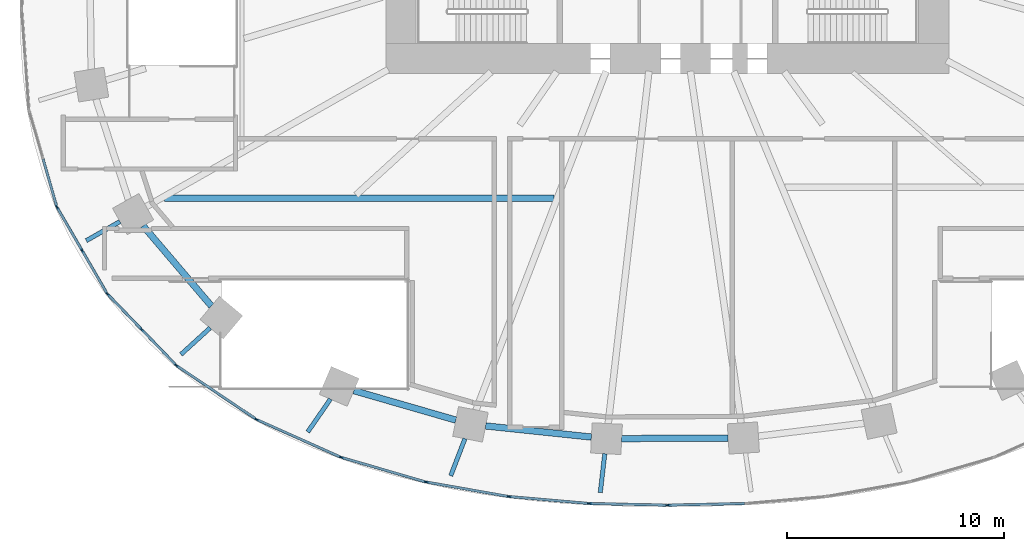
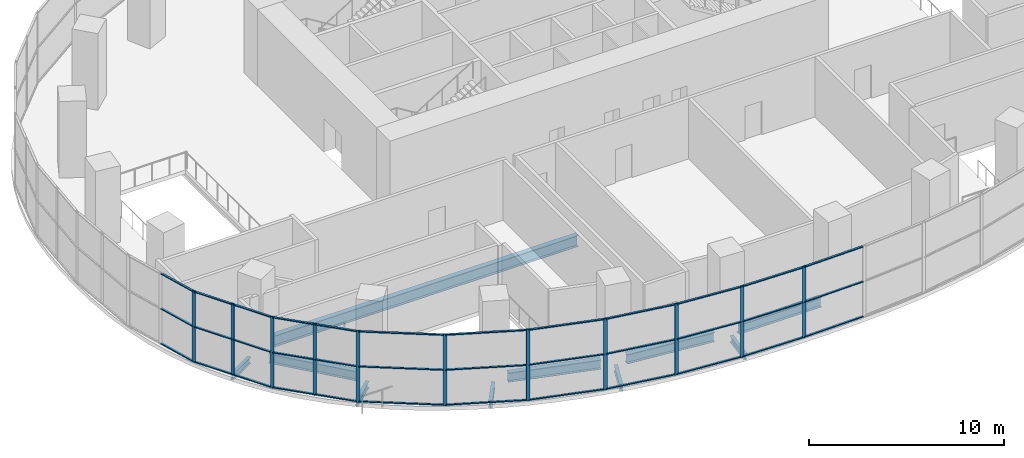
# One storey, part 2 of 17: 47 members, 10 beams, 10 elements without a shape of their own.
"""IFC4 building model written with IfcOpenShell, lengths in metres."""

from ifc_helpers import new_model, si_unit, direction, frame, origin, origin_2d, place, context, subcontext, project, spatial, rectangle, i_section, extrude, material, material_profile, profile_set, type_object, element, aggregate, save


model = new_model("IFC4")

# Units and contexts
model_context = context("Model", 3, precision=1e-05, world=origin(), true_north=direction((0.0, 1.0)))
body_context = subcontext(model_context, "Body", "Model", "MODEL_VIEW")
ifc_project = project(units=[si_unit("LENGTHUNIT", "METRE"), si_unit("AREAUNIT", "SQUARE_METRE"), si_unit("VOLUMEUNIT", "CUBIC_METRE"), si_unit("PLANEANGLEUNIT", "RADIAN"), si_unit("MASSUNIT", "GRAM", prefix="KILO")], contexts=[model_context])

# Site, building, storey
site_placement = place(None, origin())
site = spatial("IfcSite", under=ifc_project, at=site_placement, CompositionType="ELEMENT")
building_placement = place(site_placement, origin())
building = spatial("IfcBuilding", under=site, at=building_placement, Name="Rubra Terraces Tower", CompositionType="ELEMENT")
storey_placement = place(building_placement, frame((0.0, 0.0, 28.199951171875)))
storey = spatial("IfcBuildingStorey", under=building, at=storey_placement, Name="L04", CompositionType="ELEMENT", Elevation=28.199951171875)

# Beams
ifc_material_1 = material(Name="Steel Q355B", Category="steel")
ifc_material_profile_1 = material_profile(ifc_material_1, i_section(OverallWidth=0.199951171875, OverallDepth=0.39990234375, WebThickness=0.008056640625, FlangeThickness=0.012939453125, at=origin_2d()), Name="HN 400x200x8x13")
ifc_profile_set_1 = profile_set([ifc_material_profile_1], Name="Steel Q355B")
beam_type_1 = type_object("IfcBeamType", Name="CANTILEVER BEAM HN 400x200x8x13", PredefinedType="BEAM", material=ifc_profile_set_1)
beam_1_placement = place(storey_placement, frame((-25.284912109375, -9.827880859375, -0.449951171875), z_axis=(-0.86992838688, -0.493178062873, 0.0), x_axis=(0.493178062873, -0.86992838688, 0.0)))
element("IfcBeam", 1, at=beam_1_placement, inside=storey, type_object=beam_type_1, Name="beam-L04-cant-14", PredefinedType="BEAM", context=body_context, shape_type="SweptSolid", body=[
    extrude(i_section(OverallWidth=0.199951171875, OverallDepth=0.39990234375, WebThickness=0.008056640625, FlangeThickness=0.012939453125, at=origin_2d()), origin(), (0.0, 0.0, 1.0), 1.78662109375),
])
beam_2_placement = place(storey_placement, frame((-21.1220703125, -14.741943359375, -0.449951171875), z_axis=(-0.739575224106, -0.673073909677, 0.0), x_axis=(0.673073909677, -0.739575224106, 0.0)))
element("IfcBeam", 2, at=beam_2_placement, inside=storey, type_object=beam_type_1, Name="beam-L04-cant-15", PredefinedType="BEAM", context=body_context, shape_type="SweptSolid", body=[
    extrude(i_section(OverallWidth=0.199951171875, OverallDepth=0.39990234375, WebThickness=0.008056640625, FlangeThickness=0.012939453125, at=origin_2d()), origin(), (0.0, 0.0, 1.0), 1.817138671875),
])
beam_3_placement = place(storey_placement, frame((-15.56298828125, -18.029052734375, -0.449951171875), z_axis=(-0.568402477444, -0.822750644871, 0.0), x_axis=(0.822750644871, -0.568402477444, 0.0)))
element("IfcBeam", 3, at=beam_3_placement, inside=storey, type_object=beam_type_1, Name="beam-L04-cant-16", PredefinedType="BEAM", context=body_context, shape_type="SweptSolid", body=[
    extrude(i_section(OverallWidth=0.199951171875, OverallDepth=0.39990234375, WebThickness=0.008056640625, FlangeThickness=0.012939453125, at=origin_2d()), origin(), (0.0, 0.0, 1.0), 1.840087890625),
])
beam_4_placement = place(storey_placement, frame((-9.34912109375, -19.85498046875, -0.449951171875), z_axis=(-0.358291983639, -0.93360958353, 0.0), x_axis=(0.93360958353, -0.358291983639, 0.0)))
element("IfcBeam", 4, at=beam_4_placement, inside=storey, type_object=beam_type_1, Name="beam-L04-cant-17", PredefinedType="BEAM", context=body_context, shape_type="SweptSolid", body=[
    extrude(i_section(OverallWidth=0.199951171875, OverallDepth=0.39990234375, WebThickness=0.008056640625, FlangeThickness=0.012939453125, at=origin_2d()), origin(), (0.0, 0.0, 1.0), 1.833740234375),
])
beam_5_placement = place(storey_placement, frame((-2.89111328125, -20.551025390625, -0.449951171875), z_axis=(-0.114572764889, -0.99341485873, 0.0), x_axis=(0.99341485873, -0.114572764889, 0.0)))
element("IfcBeam", 5, at=beam_5_placement, inside=storey, type_object=beam_type_1, Name="beam-L04-cant-18", PredefinedType="BEAM", context=body_context, shape_type="SweptSolid", body=[
    extrude(i_section(OverallWidth=0.199951171875, OverallDepth=0.39990234375, WebThickness=0.008056640625, FlangeThickness=0.012939453125, at=origin_2d()), origin(), (0.0, 0.0, 1.0), 1.804931640625),
])

# Curtain wall, members
ifc_material_2 = material(Name="Aluminium and glass", Category="aluminium")
curtain_wall_type = type_object("IfcCurtainWallType", Name="Curtain wall Podium glazing", PredefinedType="NOTDEFINED", material=ifc_material_2)
curtain_wall_1_placement = place(storey_placement, origin())
curtain_wall_1 = element("IfcCurtainWall", 6, at=curtain_wall_1_placement, inside=storey, type_object=curtain_wall_type, Name="L04 glazing bay 23", PredefinedType="NOTDEFINED")
ifc_material_3 = material(Name="Aluminium, anodised dark grey", Category="aluminium")
ifc_material_profile_2 = material_profile(ifc_material_3, rectangle(XDim=0.06005859375, YDim=0.199951171875, at=origin_2d()), Name="AL 60x200")
ifc_profile_set_2 = profile_set([ifc_material_profile_2], Name="Aluminium, anodised dark grey")
member_type_1 = type_object("IfcMemberType", Name="Podium glazing mullion 60 x 200", PredefinedType="MULLION", material=ifc_profile_set_2)
member_1_placement = place(storey_placement, frame((-28.18798828125, -9.17333984375, 0.0), z_axis=(0.0, 0.0, 1.0), x_axis=(0.864813011398, 0.502094070187, 0.0)))
member_1 = element("IfcMember", 7, at=member_1_placement, type_object=member_type_1, Name="CW1 mullion 1", PredefinedType="MULLION", context=body_context, shape_type="SweptSolid", body=[
    extrude(rectangle(XDim=0.06005859375, YDim=0.199951171875, at=origin_2d()), origin(), (0.0, 0.0, 1.0), 4.5),
])
member_2_placement = place(storey_placement, frame((-27.0341796875, -11.160888671875, 0.0), z_axis=(0.0, 0.0, 1.0), x_axis=(0.864813011398, 0.502094070187, 0.0)))
member_2 = element("IfcMember", 8, at=member_2_placement, type_object=member_type_1, Name="CW1 mullion 2", PredefinedType="MULLION", context=body_context, shape_type="SweptSolid", body=[
    extrude(rectangle(XDim=0.06005859375, YDim=0.199951171875, at=origin_2d()), origin(), (0.0, 0.0, 1.0), 4.5),
])

curtain_wall_2_placement = place(storey_placement, origin())
curtain_wall_2 = element("IfcCurtainWall", 9, at=curtain_wall_2_placement, inside=storey, type_object=curtain_wall_type, Name="L04 glazing bay 24", PredefinedType="NOTDEFINED")
member_3_placement = place(storey_placement, frame((-25.855224609375, -13.181396484375, 0.0), z_axis=(0.0, 0.0, 1.0), x_axis=(0.71982488517, 0.69415569917, 0.0)))
member_3 = element("IfcMember", 10, at=member_3_placement, type_object=member_type_1, Name="CW1 mullion 1", PredefinedType="MULLION", context=body_context, shape_type="SweptSolid", body=[
    extrude(rectangle(XDim=0.06005859375, YDim=0.199951171875, at=origin_2d()), origin(), (0.0, 0.0, 1.0), 4.5),
])
member_4_placement = place(storey_placement, frame((-24.280517578125, -14.814453125, 0.0), z_axis=(0.0, 0.0, 1.0), x_axis=(0.71982488517, 0.69415569917, 0.0)))
member_4 = element("IfcMember", 11, at=member_4_placement, type_object=member_type_1, Name="CW1 mullion 2", PredefinedType="MULLION", context=body_context, shape_type="SweptSolid", body=[
    extrude(rectangle(XDim=0.06005859375, YDim=0.199951171875, at=origin_2d()), origin(), (0.0, 0.0, 1.0), 4.5),
])

# Curtain wall, member
curtain_wall_3_placement = place(storey_placement, origin())
curtain_wall_3 = element("IfcCurtainWall", 12, at=curtain_wall_3_placement, inside=storey, type_object=curtain_wall_type, Name="L04 glazing bay 25", PredefinedType="NOTDEFINED")
member_5_placement = place(storey_placement, frame((-22.672119140625, -16.4755859375, 0.0), z_axis=(0.0, 0.0, 1.0), x_axis=(0.55927727939, 0.828980654031, 0.0)))
member_5 = element("IfcMember", 13, at=member_5_placement, type_object=member_type_1, Name="CW1 mullion 1", PredefinedType="MULLION", context=body_context, shape_type="SweptSolid", body=[
    extrude(rectangle(XDim=0.06005859375, YDim=0.199951171875, at=origin_2d()), origin(), (0.0, 0.0, 1.0), 4.5),
])

curtain_wall_4_placement = place(storey_placement, origin())
curtain_wall_4 = element("IfcCurtainWall", 14, at=curtain_wall_4_placement, inside=storey, type_object=curtain_wall_type, Name="L04 glazing bay 26", PredefinedType="NOTDEFINED")
member_6_placement = place(storey_placement, frame((-18.968017578125, -18.969970703125, 0.0), z_axis=(0.0, 0.0, 1.0), x_axis=(0.4089624427, 0.912551215254, 0.0)))
member_6 = element("IfcMember", 15, at=member_6_placement, type_object=member_type_1, Name="CW1 mullion 1", PredefinedType="MULLION", context=body_context, shape_type="SweptSolid", body=[
    extrude(rectangle(XDim=0.06005859375, YDim=0.199951171875, at=origin_2d()), origin(), (0.0, 0.0, 1.0), 4.5),
])

curtain_wall_5_placement = place(storey_placement, origin())
curtain_wall_5 = element("IfcCurtainWall", 16, at=curtain_wall_5_placement, inside=storey, type_object=curtain_wall_type, Name="L04 glazing bay 27", PredefinedType="NOTDEFINED")
member_7_placement = place(storey_placement, frame((-15.05126953125, -20.721435546875, 0.0), z_axis=(0.0, 0.0, 1.0), x_axis=(0.279399200229, 0.96017502931, 0.0)))
member_7 = element("IfcMember", 17, at=member_7_placement, type_object=member_type_1, Name="CW1 mullion 1", PredefinedType="MULLION", context=body_context, shape_type="SweptSolid", body=[
    extrude(rectangle(XDim=0.06005859375, YDim=0.199951171875, at=origin_2d()), origin(), (0.0, 0.0, 1.0), 4.5),
])

curtain_wall_6_placement = place(storey_placement, origin())
curtain_wall_6 = element("IfcCurtainWall", 18, at=curtain_wall_6_placement, inside=storey, type_object=curtain_wall_type, Name="L04 glazing bay 28", PredefinedType="NOTDEFINED")
member_8_placement = place(storey_placement, frame((-11.13037109375, -21.859375, 0.0), z_axis=(0.0, 0.0, 1.0), x_axis=(0.172816985997, 0.984953952909, 0.0)))
member_8 = element("IfcMember", 19, at=member_8_placement, type_object=member_type_1, Name="CW1 mullion 1", PredefinedType="MULLION", context=body_context, shape_type="SweptSolid", body=[
    extrude(rectangle(XDim=0.06005859375, YDim=0.199951171875, at=origin_2d()), origin(), (0.0, 0.0, 1.0), 4.5),
])

curtain_wall_7_placement = place(storey_placement, origin())
curtain_wall_7 = element("IfcCurtainWall", 20, at=curtain_wall_7_placement, inside=storey, type_object=curtain_wall_type, Name="L04 glazing bay 29", PredefinedType="NOTDEFINED")
member_9_placement = place(storey_placement, frame((-7.306640625, -22.52783203125, 0.0), z_axis=(0.0, 0.0, 1.0), x_axis=(0.08639804595, 0.996260697637, 0.0)))
member_9 = element("IfcMember", 21, at=member_9_placement, type_object=member_type_1, Name="CW1 mullion 1", PredefinedType="MULLION", context=body_context, shape_type="SweptSolid", body=[
    extrude(rectangle(XDim=0.06005859375, YDim=0.199951171875, at=origin_2d()), origin(), (0.0, 0.0, 1.0), 4.5),
])

curtain_wall_8_placement = place(storey_placement, origin())
curtain_wall_8 = element("IfcCurtainWall", 22, at=curtain_wall_8_placement, inside=storey, type_object=curtain_wall_type, Name="L04 glazing bay 30", PredefinedType="NOTDEFINED")
member_10_placement = place(storey_placement, frame((-3.598388671875, -22.84765625, 0.0), z_axis=(0.0, 0.0, 1.0), x_axis=(0.021482644428, 0.999769221365, 0.0)))
member_10 = element("IfcMember", 23, at=member_10_placement, type_object=member_type_1, Name="CW1 mullion 1", PredefinedType="MULLION", context=body_context, shape_type="SweptSolid", body=[
    extrude(rectangle(XDim=0.06005859375, YDim=0.199951171875, at=origin_2d()), origin(), (0.0, 0.0, 1.0), 4.5),
])

curtain_wall_9_placement = place(storey_placement, origin())
curtain_wall_9 = element("IfcCurtainWall", 24, at=curtain_wall_9_placement, inside=storey, type_object=curtain_wall_type, Name="L04 glazing bay 31", PredefinedType="NOTDEFINED")
member_11_placement = place(storey_placement, frame((0.0283203125, -22.92431640625, 0.0), z_axis=(0.0, 0.0, 1.0), x_axis=(-0.021482644428, 0.999769221365, 0.0)))
member_11 = element("IfcMember", 25, at=member_11_placement, type_object=member_type_1, Name="CW1 mullion 1", PredefinedType="MULLION", context=body_context, shape_type="SweptSolid", body=[
    extrude(rectangle(XDim=0.06005859375, YDim=0.199951171875, at=origin_2d()), origin(), (0.0, 0.0, 1.0), 4.5),
])

# Curtain wall, members
curtain_wall_10_placement = place(storey_placement, origin())
curtain_wall_10 = element("IfcCurtainWall", 26, at=curtain_wall_10_placement, inside=storey, type_object=curtain_wall_type, Name="L04 glazing bay 22", PredefinedType="NOTDEFINED")
ifc_material_profile_3 = material_profile(ifc_material_3, rectangle(XDim=0.1201171875, YDim=0.06005859375, at=origin_2d()), Name="AL 120x60")
ifc_profile_set_3 = profile_set([ifc_material_profile_3], Name="Aluminium, anodised dark grey")
member_type_2 = type_object("IfcMemberType", Name="Podium glazing transom 120 x 60", PredefinedType="USERDEFINED", material=ifc_profile_set_3)
member_12_placement = place(storey_placement, frame((-28.835205078125, -6.941650390625, 0.06005859375), z_axis=(0.276452561882, -0.961027565177, 0.0), x_axis=(0.961027565177, 0.276452561882, 0.0)))
member_12 = element("IfcMember", 27, at=member_12_placement, type_object=member_type_2, Name="CW1 transom 2.1", ObjectType="TRANSOM", PredefinedType="USERDEFINED", context=body_context, shape_type="SweptSolid", body=[
    extrude(rectangle(XDim=0.1201171875, YDim=0.06005859375, at=origin_2d()), origin(), (0.0, 0.0, 1.0), 2.2529296875),
])
member_13_placement = place(storey_placement, frame((-28.835205078125, -6.941650390625, 2.25), z_axis=(0.276452561882, -0.961027565177, 0.0), x_axis=(0.961027565177, 0.276452561882, 0.0)))
member_13 = element("IfcMember", 28, at=member_13_placement, type_object=member_type_2, Name="CW1 transom 2.2", ObjectType="TRANSOM", PredefinedType="USERDEFINED", context=body_context, shape_type="SweptSolid", body=[
    extrude(rectangle(XDim=0.1201171875, YDim=0.06005859375, at=origin_2d()), origin(), (0.0, 0.0, 1.0), 2.2529296875),
])
member_14_placement = place(storey_placement, frame((-28.835205078125, -6.941650390625, 4.43994140625), z_axis=(0.276452561882, -0.961027565177, 0.0), x_axis=(0.961027565177, 0.276452561882, 0.0)))
member_14 = element("IfcMember", 29, at=member_14_placement, type_object=member_type_2, Name="CW1 transom 2.3", ObjectType="TRANSOM", PredefinedType="USERDEFINED", context=body_context, shape_type="SweptSolid", body=[
    extrude(rectangle(XDim=0.1201171875, YDim=0.06005859375, at=origin_2d()), origin(), (0.0, 0.0, 1.0), 2.2529296875),
])
aggregate(curtain_wall_10, [member_12, member_13, member_14])

# Member
member_15_placement = place(storey_placement, frame((-28.173095703125, -9.19921875, 0.06005859375), z_axis=(0.5021881448, -0.864758386616, 0.0), x_axis=(0.864758386616, 0.5021881448, 0.0)))
member_15 = element("IfcMember", 30, at=member_15_placement, type_object=member_type_2, Name="CW1 transom 1.1", ObjectType="TRANSOM", PredefinedType="USERDEFINED", context=body_context, shape_type="SweptSolid", body=[
    extrude(rectangle(XDim=0.1201171875, YDim=0.06005859375, at=origin_2d()), origin(), (0.0, 0.0, 1.0), 2.23828125),
])

member_16_placement = place(storey_placement, frame((-28.173095703125, -9.19921875, 2.25), z_axis=(0.5021881448, -0.864758386616, 0.0), x_axis=(0.864758386616, 0.5021881448, 0.0)))
member_16 = element("IfcMember", 31, at=member_16_placement, type_object=member_type_2, Name="CW1 transom 1.2", ObjectType="TRANSOM", PredefinedType="USERDEFINED", context=body_context, shape_type="SweptSolid", body=[
    extrude(rectangle(XDim=0.1201171875, YDim=0.06005859375, at=origin_2d()), origin(), (0.0, 0.0, 1.0), 2.23828125),
])

member_17_placement = place(storey_placement, frame((-28.173095703125, -9.19921875, 4.43994140625), z_axis=(0.5021881448, -0.864758386616, 0.0), x_axis=(0.864758386616, 0.5021881448, 0.0)))
member_17 = element("IfcMember", 32, at=member_17_placement, type_object=member_type_2, Name="CW1 transom 1.3", ObjectType="TRANSOM", PredefinedType="USERDEFINED", context=body_context, shape_type="SweptSolid", body=[
    extrude(rectangle(XDim=0.1201171875, YDim=0.06005859375, at=origin_2d()), origin(), (0.0, 0.0, 1.0), 2.23828125),
])

member_18_placement = place(storey_placement, frame((-27.01904296875, -11.186767578125, 0.06005859375), z_axis=(0.502106569931, -0.864805754162, 0.0), x_axis=(0.864805754162, 0.502106569931, 0.0)))
member_18 = element("IfcMember", 33, at=member_18_placement, type_object=member_type_2, Name="CW1 transom 2.1", ObjectType="TRANSOM", PredefinedType="USERDEFINED", context=body_context, shape_type="SweptSolid", body=[
    extrude(rectangle(XDim=0.1201171875, YDim=0.06005859375, at=origin_2d()), origin(), (0.0, 0.0, 1.0), 2.238037109375),
])

member_19_placement = place(storey_placement, frame((-27.01904296875, -11.186767578125, 2.25), z_axis=(0.502106569931, -0.864805754162, 0.0), x_axis=(0.864805754162, 0.502106569931, 0.0)))
member_19 = element("IfcMember", 34, at=member_19_placement, type_object=member_type_2, Name="CW1 transom 2.2", ObjectType="TRANSOM", PredefinedType="USERDEFINED", context=body_context, shape_type="SweptSolid", body=[
    extrude(rectangle(XDim=0.1201171875, YDim=0.06005859375, at=origin_2d()), origin(), (0.0, 0.0, 1.0), 2.238037109375),
])

member_20_placement = place(storey_placement, frame((-27.01904296875, -11.186767578125, 4.43994140625), z_axis=(0.502106569931, -0.864805754162, 0.0), x_axis=(0.864805754162, 0.502106569931, 0.0)))
member_20 = element("IfcMember", 35, at=member_20_placement, type_object=member_type_2, Name="CW1 transom 2.3", ObjectType="TRANSOM", PredefinedType="USERDEFINED", context=body_context, shape_type="SweptSolid", body=[
    extrude(rectangle(XDim=0.1201171875, YDim=0.06005859375, at=origin_2d()), origin(), (0.0, 0.0, 1.0), 2.238037109375),
])

aggregate(curtain_wall_1, [member_1, member_2, member_15, member_16, member_17, member_18, member_19, member_20])

member_21_placement = place(storey_placement, frame((-25.83447265625, -13.203125, 0.06005859375), z_axis=(0.694223533913, -0.719759463266, 0.0), x_axis=(0.719759463266, 0.694223533913, 0.0)))
member_21 = element("IfcMember", 36, at=member_21_placement, type_object=member_type_2, Name="CW1 transom 1.1", ObjectType="TRANSOM", PredefinedType="USERDEFINED", context=body_context, shape_type="SweptSolid", body=[
    extrude(rectangle(XDim=0.1201171875, YDim=0.06005859375, at=origin_2d()), origin(), (0.0, 0.0, 1.0), 2.20849609375),
])

member_22_placement = place(storey_placement, frame((-25.83447265625, -13.203125, 2.25), z_axis=(0.694223533913, -0.719759463266, 0.0), x_axis=(0.719759463266, 0.694223533913, 0.0)))
member_22 = element("IfcMember", 37, at=member_22_placement, type_object=member_type_2, Name="CW1 transom 1.2", ObjectType="TRANSOM", PredefinedType="USERDEFINED", context=body_context, shape_type="SweptSolid", body=[
    extrude(rectangle(XDim=0.1201171875, YDim=0.06005859375, at=origin_2d()), origin(), (0.0, 0.0, 1.0), 2.20849609375),
])

member_23_placement = place(storey_placement, frame((-25.83447265625, -13.203125, 4.43994140625), z_axis=(0.694223533913, -0.719759463266, 0.0), x_axis=(0.719759463266, 0.694223533913, 0.0)))
member_23 = element("IfcMember", 38, at=member_23_placement, type_object=member_type_2, Name="CW1 transom 1.3", ObjectType="TRANSOM", PredefinedType="USERDEFINED", context=body_context, shape_type="SweptSolid", body=[
    extrude(rectangle(XDim=0.1201171875, YDim=0.06005859375, at=origin_2d()), origin(), (0.0, 0.0, 1.0), 2.20849609375),
])

member_24_placement = place(storey_placement, frame((-24.259765625, -14.8359375, 0.06005859375), z_axis=(0.694168299732, -0.719812733735, 0.0), x_axis=(0.719812733735, 0.694168299732, 0.0)))
member_24 = element("IfcMember", 39, at=member_24_placement, type_object=member_type_2, Name="CW1 transom 2.1", ObjectType="TRANSOM", PredefinedType="USERDEFINED", context=body_context, shape_type="SweptSolid", body=[
    extrude(rectangle(XDim=0.1201171875, YDim=0.06005859375, at=origin_2d()), origin(), (0.0, 0.0, 1.0), 2.208740234375),
])

member_25_placement = place(storey_placement, frame((-24.259765625, -14.8359375, 2.25), z_axis=(0.694168299732, -0.719812733735, 0.0), x_axis=(0.719812733735, 0.694168299732, 0.0)))
member_25 = element("IfcMember", 40, at=member_25_placement, type_object=member_type_2, Name="CW1 transom 2.2", ObjectType="TRANSOM", PredefinedType="USERDEFINED", context=body_context, shape_type="SweptSolid", body=[
    extrude(rectangle(XDim=0.1201171875, YDim=0.06005859375, at=origin_2d()), origin(), (0.0, 0.0, 1.0), 2.208740234375),
])

member_26_placement = place(storey_placement, frame((-24.259765625, -14.8359375, 4.43994140625), z_axis=(0.694168299732, -0.719812733735, 0.0), x_axis=(0.719812733735, 0.694168299732, 0.0)))
member_26 = element("IfcMember", 41, at=member_26_placement, type_object=member_type_2, Name="CW1 transom 2.3", ObjectType="TRANSOM", PredefinedType="USERDEFINED", context=body_context, shape_type="SweptSolid", body=[
    extrude(rectangle(XDim=0.1201171875, YDim=0.06005859375, at=origin_2d()), origin(), (0.0, 0.0, 1.0), 2.208740234375),
])

aggregate(curtain_wall_2, [member_3, member_4, member_21, member_22, member_23, member_24, member_25, member_26])

member_27_placement = place(storey_placement, frame((-22.6474609375, -16.492431640625, 0.06005859375), z_axis=(0.828996039897, -0.559254473236, 0.0), x_axis=(0.559254473236, 0.828996039897, 0.0)))
member_27 = element("IfcMember", 42, at=member_27_placement, type_object=member_type_2, Name="CW1 transom 1.1", ObjectType="TRANSOM", PredefinedType="USERDEFINED", context=body_context, shape_type="SweptSolid", body=[
    extrude(rectangle(XDim=0.1201171875, YDim=0.06005859375, at=origin_2d()), origin(), (0.0, 0.0, 1.0), 4.35888671875),
])

member_28_placement = place(storey_placement, frame((-22.6474609375, -16.492431640625, 2.25), z_axis=(0.828996039897, -0.559254473236, 0.0), x_axis=(0.559254473236, 0.828996039897, 0.0)))
member_28 = element("IfcMember", 43, at=member_28_placement, type_object=member_type_2, Name="CW1 transom 1.2", ObjectType="TRANSOM", PredefinedType="USERDEFINED", context=body_context, shape_type="SweptSolid", body=[
    extrude(rectangle(XDim=0.1201171875, YDim=0.06005859375, at=origin_2d()), origin(), (0.0, 0.0, 1.0), 4.35888671875),
])

member_29_placement = place(storey_placement, frame((-22.6474609375, -16.492431640625, 4.43994140625), z_axis=(0.828996039897, -0.559254473236, 0.0), x_axis=(0.559254473236, 0.828996039897, 0.0)))
member_29 = element("IfcMember", 44, at=member_29_placement, type_object=member_type_2, Name="CW1 transom 1.3", ObjectType="TRANSOM", PredefinedType="USERDEFINED", context=body_context, shape_type="SweptSolid", body=[
    extrude(rectangle(XDim=0.1201171875, YDim=0.06005859375, at=origin_2d()), origin(), (0.0, 0.0, 1.0), 4.35888671875),
])

aggregate(curtain_wall_3, [member_5, member_27, member_28, member_29])

member_30_placement = place(storey_placement, frame((-18.9404296875, -18.982177734375, 0.06005859375), z_axis=(0.912545396627, -0.408975426029, 0.0), x_axis=(0.408975426029, 0.912545396627, 0.0)))
member_30 = element("IfcMember", 45, at=member_30_placement, type_object=member_type_2, Name="CW1 transom 1.1", ObjectType="TRANSOM", PredefinedType="USERDEFINED", context=body_context, shape_type="SweptSolid", body=[
    extrude(rectangle(XDim=0.1201171875, YDim=0.06005859375, at=origin_2d()), origin(), (0.0, 0.0, 1.0), 4.18115234375),
])

member_31_placement = place(storey_placement, frame((-18.9404296875, -18.982177734375, 2.25), z_axis=(0.912545396627, -0.408975426029, 0.0), x_axis=(0.408975426029, 0.912545396627, 0.0)))
member_31 = element("IfcMember", 46, at=member_31_placement, type_object=member_type_2, Name="CW1 transom 1.2", ObjectType="TRANSOM", PredefinedType="USERDEFINED", context=body_context, shape_type="SweptSolid", body=[
    extrude(rectangle(XDim=0.1201171875, YDim=0.06005859375, at=origin_2d()), origin(), (0.0, 0.0, 1.0), 4.18115234375),
])

member_32_placement = place(storey_placement, frame((-18.9404296875, -18.982177734375, 4.43994140625), z_axis=(0.912545396627, -0.408975426029, 0.0), x_axis=(0.408975426029, 0.912545396627, 0.0)))
member_32 = element("IfcMember", 47, at=member_32_placement, type_object=member_type_2, Name="CW1 transom 1.3", ObjectType="TRANSOM", PredefinedType="USERDEFINED", context=body_context, shape_type="SweptSolid", body=[
    extrude(rectangle(XDim=0.1201171875, YDim=0.06005859375, at=origin_2d()), origin(), (0.0, 0.0, 1.0), 4.18115234375),
])

aggregate(curtain_wall_4, [member_6, member_30, member_31, member_32])

member_33_placement = place(storey_placement, frame((-15.0224609375, -20.729736328125, 0.06005859375), z_axis=(0.960164409194, -0.279435694422, 0.0), x_axis=(0.279435694422, 0.960164409194, 0.0)))
member_33 = element("IfcMember", 48, at=member_33_placement, type_object=member_type_2, Name="CW1 transom 1.1", ObjectType="TRANSOM", PredefinedType="USERDEFINED", context=body_context, shape_type="SweptSolid", body=[
    extrude(rectangle(XDim=0.1201171875, YDim=0.06005859375, at=origin_2d()), origin(), (0.0, 0.0, 1.0), 3.970947265625),
])

member_34_placement = place(storey_placement, frame((-15.0224609375, -20.729736328125, 2.25), z_axis=(0.960164409194, -0.279435694422, 0.0), x_axis=(0.279435694422, 0.960164409194, 0.0)))
member_34 = element("IfcMember", 49, at=member_34_placement, type_object=member_type_2, Name="CW1 transom 1.2", ObjectType="TRANSOM", PredefinedType="USERDEFINED", context=body_context, shape_type="SweptSolid", body=[
    extrude(rectangle(XDim=0.1201171875, YDim=0.06005859375, at=origin_2d()), origin(), (0.0, 0.0, 1.0), 3.970947265625),
])

member_35_placement = place(storey_placement, frame((-15.0224609375, -20.729736328125, 4.43994140625), z_axis=(0.960164409194, -0.279435694422, 0.0), x_axis=(0.279435694422, 0.960164409194, 0.0)))
member_35 = element("IfcMember", 50, at=member_35_placement, type_object=member_type_2, Name="CW1 transom 1.3", ObjectType="TRANSOM", PredefinedType="USERDEFINED", context=body_context, shape_type="SweptSolid", body=[
    extrude(rectangle(XDim=0.1201171875, YDim=0.06005859375, at=origin_2d()), origin(), (0.0, 0.0, 1.0), 3.970947265625),
])

aggregate(curtain_wall_5, [member_7, member_33, member_34, member_35])

member_36_placement = place(storey_placement, frame((-11.100830078125, -21.864501953125, 0.06005859375), z_axis=(0.984959152546, -0.172787348539, 0.0), x_axis=(0.172787348539, 0.984959152546, 0.0)))
member_36 = element("IfcMember", 51, at=member_36_placement, type_object=member_type_2, Name="CW1 transom 1.1", ObjectType="TRANSOM", PredefinedType="USERDEFINED", context=body_context, shape_type="SweptSolid", body=[
    extrude(rectangle(XDim=0.1201171875, YDim=0.06005859375, at=origin_2d()), origin(), (0.0, 0.0, 1.0), 3.768310546875),
])

member_37_placement = place(storey_placement, frame((-11.100830078125, -21.864501953125, 2.25), z_axis=(0.984959152546, -0.172787348539, 0.0), x_axis=(0.172787348539, 0.984959152546, 0.0)))
member_37 = element("IfcMember", 52, at=member_37_placement, type_object=member_type_2, Name="CW1 transom 1.2", ObjectType="TRANSOM", PredefinedType="USERDEFINED", context=body_context, shape_type="SweptSolid", body=[
    extrude(rectangle(XDim=0.1201171875, YDim=0.06005859375, at=origin_2d()), origin(), (0.0, 0.0, 1.0), 3.768310546875),
])

member_38_placement = place(storey_placement, frame((-11.100830078125, -21.864501953125, 4.43994140625), z_axis=(0.984959152546, -0.172787348539, 0.0), x_axis=(0.172787348539, 0.984959152546, 0.0)))
member_38 = element("IfcMember", 53, at=member_38_placement, type_object=member_type_2, Name="CW1 transom 1.3", ObjectType="TRANSOM", PredefinedType="USERDEFINED", context=body_context, shape_type="SweptSolid", body=[
    extrude(rectangle(XDim=0.1201171875, YDim=0.06005859375, at=origin_2d()), origin(), (0.0, 0.0, 1.0), 3.768310546875),
])

aggregate(curtain_wall_6, [member_8, member_36, member_37, member_38])

member_39_placement = place(storey_placement, frame((-7.276611328125, -22.530517578125, 0.06005859375), z_axis=(0.996262906738, -0.086372568895, 0.0), x_axis=(0.086372568895, 0.996262906738, 0.0)))
member_39 = element("IfcMember", 54, at=member_39_placement, type_object=member_type_2, Name="CW1 transom 1.1", ObjectType="TRANSOM", PredefinedType="USERDEFINED", context=body_context, shape_type="SweptSolid", body=[
    extrude(rectangle(XDim=0.1201171875, YDim=0.06005859375, at=origin_2d()), origin(), (0.0, 0.0, 1.0), 3.606689453125),
])

member_40_placement = place(storey_placement, frame((-7.276611328125, -22.530517578125, 2.25), z_axis=(0.996262906738, -0.086372568895, 0.0), x_axis=(0.086372568895, 0.996262906738, 0.0)))
member_40 = element("IfcMember", 55, at=member_40_placement, type_object=member_type_2, Name="CW1 transom 1.2", ObjectType="TRANSOM", PredefinedType="USERDEFINED", context=body_context, shape_type="SweptSolid", body=[
    extrude(rectangle(XDim=0.1201171875, YDim=0.06005859375, at=origin_2d()), origin(), (0.0, 0.0, 1.0), 3.606689453125),
])

member_41_placement = place(storey_placement, frame((-7.276611328125, -22.530517578125, 4.43994140625), z_axis=(0.996262906738, -0.086372568895, 0.0), x_axis=(0.086372568895, 0.996262906738, 0.0)))
member_41 = element("IfcMember", 56, at=member_41_placement, type_object=member_type_2, Name="CW1 transom 1.3", ObjectType="TRANSOM", PredefinedType="USERDEFINED", context=body_context, shape_type="SweptSolid", body=[
    extrude(rectangle(XDim=0.1201171875, YDim=0.06005859375, at=origin_2d()), origin(), (0.0, 0.0, 1.0), 3.606689453125),
])

aggregate(curtain_wall_7, [member_9, member_39, member_40, member_41])

member_42_placement = place(storey_placement, frame((-3.568359375, -22.848388671875, 0.06005859375), z_axis=(0.99976911273, -0.021487699509, 0.0), x_axis=(0.021487699509, 0.99976911273, 0.0)))
member_42 = element("IfcMember", 57, at=member_42_placement, type_object=member_type_2, Name="CW1 transom 1.1", ObjectType="TRANSOM", PredefinedType="USERDEFINED", context=body_context, shape_type="SweptSolid", body=[
    extrude(rectangle(XDim=0.1201171875, YDim=0.06005859375, at=origin_2d()), origin(), (0.0, 0.0, 1.0), 3.5107421875),
])

member_43_placement = place(storey_placement, frame((-3.568359375, -22.848388671875, 2.25), z_axis=(0.99976911273, -0.021487699509, 0.0), x_axis=(0.021487699509, 0.99976911273, 0.0)))
member_43 = element("IfcMember", 58, at=member_43_placement, type_object=member_type_2, Name="CW1 transom 1.2", ObjectType="TRANSOM", PredefinedType="USERDEFINED", context=body_context, shape_type="SweptSolid", body=[
    extrude(rectangle(XDim=0.1201171875, YDim=0.06005859375, at=origin_2d()), origin(), (0.0, 0.0, 1.0), 3.5107421875),
])

member_44_placement = place(storey_placement, frame((-3.568359375, -22.848388671875, 4.43994140625), z_axis=(0.99976911273, -0.021487699509, 0.0), x_axis=(0.021487699509, 0.99976911273, 0.0)))
member_44 = element("IfcMember", 59, at=member_44_placement, type_object=member_type_2, Name="CW1 transom 1.3", ObjectType="TRANSOM", PredefinedType="USERDEFINED", context=body_context, shape_type="SweptSolid", body=[
    extrude(rectangle(XDim=0.1201171875, YDim=0.06005859375, at=origin_2d()), origin(), (0.0, 0.0, 1.0), 3.5107421875),
])

aggregate(curtain_wall_8, [member_10, member_42, member_43, member_44])

member_45_placement = place(storey_placement, frame((0.058349609375, -22.923828125, 0.06005859375), z_axis=(0.99976911273, 0.021487699509, 0.0), x_axis=(-0.021487699509, 0.99976911273, 0.0)))
member_45 = element("IfcMember", 60, at=member_45_placement, type_object=member_type_2, Name="CW1 transom 1.1", ObjectType="TRANSOM", PredefinedType="USERDEFINED", context=body_context, shape_type="SweptSolid", body=[
    extrude(rectangle(XDim=0.1201171875, YDim=0.06005859375, at=origin_2d()), origin(), (0.0, 0.0, 1.0), 3.5107421875),
])

member_46_placement = place(storey_placement, frame((0.058349609375, -22.923828125, 2.25), z_axis=(0.99976911273, 0.021487699509, 0.0), x_axis=(-0.021487699509, 0.99976911273, 0.0)))
member_46 = element("IfcMember", 61, at=member_46_placement, type_object=member_type_2, Name="CW1 transom 1.2", ObjectType="TRANSOM", PredefinedType="USERDEFINED", context=body_context, shape_type="SweptSolid", body=[
    extrude(rectangle(XDim=0.1201171875, YDim=0.06005859375, at=origin_2d()), origin(), (0.0, 0.0, 1.0), 3.5107421875),
])

member_47_placement = place(storey_placement, frame((0.058349609375, -22.923828125, 4.43994140625), z_axis=(0.99976911273, 0.021487699509, 0.0), x_axis=(-0.021487699509, 0.99976911273, 0.0)))
member_47 = element("IfcMember", 62, at=member_47_placement, type_object=member_type_2, Name="CW1 transom 1.3", ObjectType="TRANSOM", PredefinedType="USERDEFINED", context=body_context, shape_type="SweptSolid", body=[
    extrude(rectangle(XDim=0.1201171875, YDim=0.06005859375, at=origin_2d()), origin(), (0.0, 0.0, 1.0), 3.5107421875),
])

aggregate(curtain_wall_9, [member_11, member_45, member_46, member_47])

# Beams
ifc_material_profile_4 = material_profile(ifc_material_1, i_section(OverallWidth=0.300048828125, OverallDepth=0.587890625, WebThickness=0.011962890625, FlangeThickness=0.02001953125, at=origin_2d()), Name="HM 588x300x12x20")
ifc_profile_set_4 = profile_set([ifc_material_profile_4], Name="Steel Q355B")
beam_type_2 = type_object("IfcBeamType", Name="SPANDREL BEAM HM 588x300x12x20", PredefinedType="SPANDREL", material=ifc_profile_set_4)
beam_6_placement = place(storey_placement, frame((-24.212890625, -10.02587890625, -0.5439453125), z_axis=(0.648447050824, -0.761259760054, 0.0), x_axis=(0.761259760054, 0.648447050824, 0.0)))
element("IfcBeam", 63, at=beam_6_placement, inside=storey, type_object=beam_type_2, Name="beam-L04-spandrel-14", PredefinedType="SPANDREL", context=body_context, shape_type="SweptSolid", body=[
    extrude(i_section(OverallWidth=0.300048828125, OverallDepth=0.587890625, WebThickness=0.011962890625, FlangeThickness=0.02001953125, at=origin_2d()), origin(), (0.0, 0.0, 1.0), 4.860595703125),
])
beam_7_placement = place(storey_placement, frame((-14.47900390625, -17.636962890625, -0.5439453125), z_axis=(0.960743980202, -0.277436487337, 0.0), x_axis=(0.277436487337, 0.960743980202, 0.0)))
element("IfcBeam", 64, at=beam_7_placement, inside=storey, type_object=beam_type_2, Name="beam-L04-spandrel-16", PredefinedType="SPANDREL", context=body_context, shape_type="SweptSolid", body=[
    extrude(i_section(OverallWidth=0.300048828125, OverallDepth=0.587890625, WebThickness=0.011962890625, FlangeThickness=0.02001953125, at=origin_2d()), origin(), (0.0, 0.0, 1.0), 4.90234375),
])
beam_8_placement = place(storey_placement, frame((-8.39501953125, -19.26611328125, -0.5439453125), z_axis=(0.994495375694, -0.104780473964, 0.0), x_axis=(0.104780473964, 0.994495375694, 0.0)))
element("IfcBeam", 65, at=beam_8_placement, inside=storey, type_object=beam_type_2, Name="beam-L04-spandrel-17", PredefinedType="SPANDREL", context=body_context, shape_type="SweptSolid", body=[
    extrude(i_section(OverallWidth=0.300048828125, OverallDepth=0.587890625, WebThickness=0.011962890625, FlangeThickness=0.02001953125, at=origin_2d()), origin(), (0.0, 0.0, 1.0), 4.9140625),
])
beam_9_placement = place(storey_placement, frame((-2.110107421875, -19.85107421875, -0.5439453125), z_axis=(0.999987924698, 0.004914311469, 0.0), x_axis=(-0.004914311469, 0.999987924698, 0.0)))
element("IfcBeam", 66, at=beam_9_placement, inside=storey, type_object=beam_type_2, Name="beam-L04-spandrel-18", PredefinedType="SPANDREL", context=body_context, shape_type="SweptSolid", body=[
    extrude(i_section(OverallWidth=0.300048828125, OverallDepth=0.587890625, WebThickness=0.011962890625, FlangeThickness=0.02001953125, at=origin_2d()), origin(), (0.0, 0.0, 1.0), 4.918212890625),
])
ifc_material_profile_5 = material_profile(ifc_material_1, i_section(OverallWidth=0.300048828125, OverallDepth=0.699951171875, WebThickness=0.012939453125, FlangeThickness=0.02392578125, at=origin_2d()), Name="HN 700x300x13x24")
ifc_profile_set_5 = profile_set([ifc_material_profile_5], Name="Steel Q355B")
beam_type_3 = type_object("IfcBeamType", Name="TRIMMER BEAM HN 700x300x13x24", PredefinedType="BEAM", material=ifc_profile_set_5)
beam_10_placement = place(storey_placement, frame((-23.23193359375, -8.75, -0.599853515625), z_axis=(1.0, 0.0, 0.0), x_axis=(0.0, 1.0, 0.0)))
element("IfcBeam", 67, at=beam_10_placement, inside=storey, type_object=beam_type_3, Name="beam-L04-header-3-yhi", PredefinedType="BEAM", context=body_context, shape_type="SweptSolid", body=[
    extrude(i_section(OverallWidth=0.300048828125, OverallDepth=0.699951171875, WebThickness=0.012939453125, FlangeThickness=0.02392578125, at=origin_2d()), origin(), (0.0, 0.0, 1.0), 17.995849609375),
])

save(model, "model.ifc")
